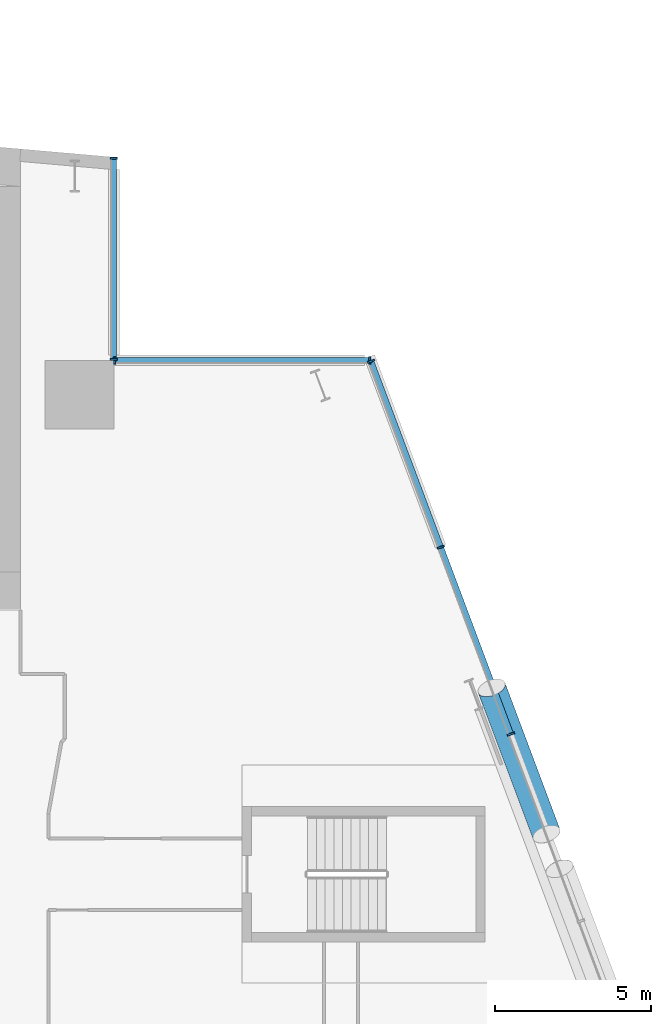
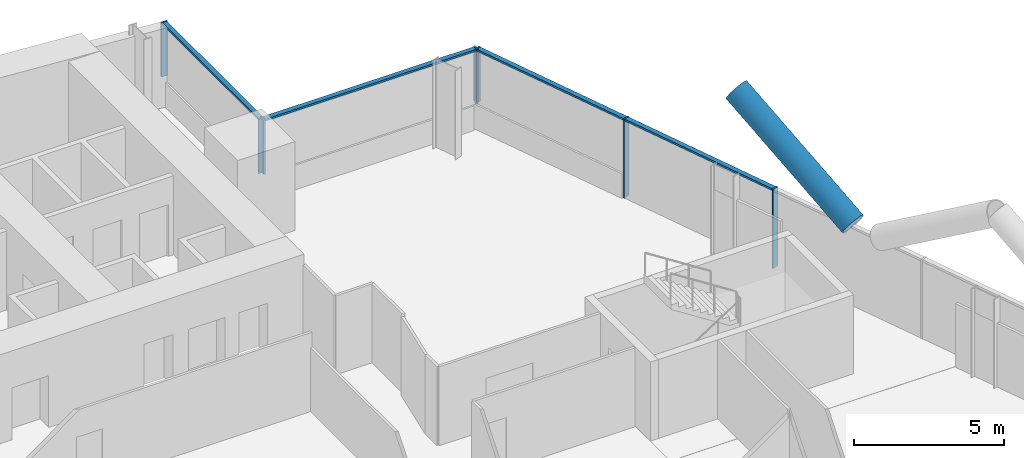
# One storey, part 10 of 25: 12 members, 3 elements without a shape of their own.
"""IFC4 building model written with IfcOpenShell, lengths in metres."""

from ifc_helpers import new_model, si_unit, direction, frame, origin, origin_2d, place, context, subcontext, project, spatial, rectangle, hollow_circle, extrude, material, material_profile, profile_set, type_object, element, aggregate, save


model = new_model("IFC4")

# Units and contexts
model_context = context("Model", 3, precision=1e-05, world=origin(), true_north=direction((0.0, 1.0)))
body_context = subcontext(model_context, "Body", "Model", "MODEL_VIEW")
ifc_project = project(units=[si_unit("LENGTHUNIT", "METRE"), si_unit("AREAUNIT", "SQUARE_METRE"), si_unit("VOLUMEUNIT", "CUBIC_METRE"), si_unit("PLANEANGLEUNIT", "RADIAN"), si_unit("MASSUNIT", "GRAM", prefix="KILO")], contexts=[model_context])

# Site, building, storey
site_placement = place(None, origin())
site = spatial("IfcSite", under=ifc_project, at=site_placement, CompositionType="ELEMENT")
building_placement = place(site_placement, origin())
building = spatial("IfcBuilding", under=site, at=building_placement, Name="Wharfspan Tower", CompositionType="ELEMENT")
storey_placement = place(building_placement, frame((0.0, 0.0, 63.100098)))
storey = spatial("IfcBuildingStorey", under=building, at=storey_placement, Name="L12", CompositionType="ELEMENT", Elevation=63.100098)

# Curtain wall, members
ifc_material_1 = material(Name="Aluminium 6063-T6", Category="aluminium")
curtain_wall_type = type_object("IfcCurtainWallType", Name="CURTAIN WALL PROW AND END", PredefinedType="NOTDEFINED", material=ifc_material_1)
curtain_wall_1_placement = place(storey_placement, origin())
curtain_wall_1 = element("IfcCurtainWall", 1, at=curtain_wall_1_placement, inside=storey, type_object=curtain_wall_type, Name="Curtain wall E", PredefinedType="NOTDEFINED")
ifc_material_profile_1 = material_profile(ifc_material_1, rectangle(XDim=0.23999, YDim=0.060059, at=origin_2d()))
ifc_profile_set_1 = profile_set([ifc_material_profile_1], Name="Aluminium 6063-T6")
member_type_1 = type_object("IfcMemberType", Name="MULLION PROW AND END 60x240", PredefinedType="MULLION", material=ifc_profile_set_1)
member_1_placement = place(storey_placement, frame((80.75, 30.0, 0.0), z_axis=(0.0, 0.0, 1.0), x_axis=(-0.936328, -0.351123, 0.0)))
member_1 = element("IfcMember", 2, at=member_1_placement, type_object=member_type_1, Name="Curtain wall E mullion 6", PredefinedType="MULLION", context=body_context, shape_type="SweptSolid", body=[
    extrude(rectangle(XDim=0.23999, YDim=0.060059, at=origin_2d()), origin(), (0.0, 0.0, 1.0), 3.199951),
])
member_2_placement = place(storey_placement, frame((78.5, 36.0, 0.0), z_axis=(0.0, 0.0, 1.0), x_axis=(-0.936328, -0.351123, 0.0)))
member_2 = element("IfcMember", 3, at=member_2_placement, type_object=member_type_1, Name="Curtain wall E mullion 7", PredefinedType="MULLION", context=body_context, shape_type="SweptSolid", body=[
    extrude(rectangle(XDim=0.23999, YDim=0.060059, at=origin_2d()), origin(), (0.0, 0.0, 1.0), 3.199951),
])
member_3_placement = place(storey_placement, frame((76.260498, 41.971924, 1.0), z_axis=(0.0, 0.0, 1.0), x_axis=(-0.936328, -0.351123, 0.0)))
member_3 = element("IfcMember", 4, at=member_3_placement, type_object=member_type_1, Name="Curtain wall E mullion 8", PredefinedType="MULLION", context=body_context, shape_type="SweptSolid", body=[
    extrude(rectangle(XDim=0.23999, YDim=0.060059, at=origin_2d()), origin(), (0.0, 0.0, 1.0), 2.199951),
])

curtain_wall_2_placement = place(storey_placement, origin())
curtain_wall_2 = element("IfcCurtainWall", 5, at=curtain_wall_2_placement, inside=storey, type_object=curtain_wall_type, Name="Curtain wall NRE-H", PredefinedType="NOTDEFINED")
member_4_placement = place(storey_placement, frame((76.219971, 42.0, 1.0), z_axis=(0.0, 0.0, 1.0), x_axis=(0.0, -1.0, 0.0)))
member_4 = element("IfcMember", 6, at=member_4_placement, type_object=member_type_1, Name="Curtain wall NRE-H mullion 1", PredefinedType="MULLION", context=body_context, shape_type="SweptSolid", body=[
    extrude(rectangle(XDim=0.23999, YDim=0.060059, at=origin_2d()), origin(), (0.0, 0.0, 1.0), 2.199951),
])
member_5_placement = place(storey_placement, frame((68.030029, 42.0, 1.0), z_axis=(0.0, 0.0, 1.0), x_axis=(0.0, -1.0, 0.0)))
member_5 = element("IfcMember", 7, at=member_5_placement, type_object=member_type_1, Name="Curtain wall NRE-H mullion 2", PredefinedType="MULLION", context=body_context, shape_type="SweptSolid", body=[
    extrude(rectangle(XDim=0.23999, YDim=0.060059, at=origin_2d()), origin(), (0.0, 0.0, 1.0), 2.199951),
])

curtain_wall_3_placement = place(storey_placement, origin())
curtain_wall_3 = element("IfcCurtainWall", 8, at=curtain_wall_3_placement, inside=storey, type_object=curtain_wall_type, Name="Curtain wall NRE-V", PredefinedType="NOTDEFINED")
member_6_placement = place(storey_placement, frame((68.0, 42.030029, 1.0), z_axis=(0.0, 0.0, 1.0), x_axis=(-1.0, 0.0, 0.0)))
member_6 = element("IfcMember", 9, at=member_6_placement, type_object=member_type_1, Name="Curtain wall NRE-V mullion 1", PredefinedType="MULLION", context=body_context, shape_type="SweptSolid", body=[
    extrude(rectangle(XDim=0.23999, YDim=0.060059, at=origin_2d()), origin(), (0.0, 0.0, 1.0), 2.199951),
])
member_7_placement = place(storey_placement, frame((68.0, 48.494873, 1.0), z_axis=(0.0, 0.0, 1.0), x_axis=(-1.0, 0.0, 0.0)))
member_7 = element("IfcMember", 10, at=member_7_placement, type_object=member_type_1, Name="Curtain wall NRE-V mullion 2", PredefinedType="MULLION", context=body_context, shape_type="SweptSolid", body=[
    extrude(rectangle(XDim=0.23999, YDim=0.060059, at=origin_2d()), origin(), (0.0, 0.0, 1.0), 2.199951),
])

# Member
ifc_material_2 = material(Name="Steel S460NH", Category="steel")
ifc_material_profile_2 = material_profile(ifc_material_2, hollow_circle(Radius=0.457031, WallThickness=0.040039, at=origin_2d()))
ifc_profile_set_2 = profile_set([ifc_material_profile_2], Name="Steel S460NH")
member_type_2 = type_object("IfcMemberType", Name="Mega brace CHS 914x40", PredefinedType="BRACE", material=ifc_profile_set_2)
member_8_placement = place(storey_placement, frame((81.895508, 26.788574, 3.282471), z_axis=(-0.295459, 0.787904, 0.540288), x_axis=(-0.936328, -0.351115, -3e-06)))
element("IfcMember", 11, at=member_8_placement, inside=storey, type_object=member_type_2, Name="Mega brace E6 L12 part 2", PredefinedType="BRACE", context=body_context, shape_type="SweptSolid", body=[
    extrude(hollow_circle(Radius=0.457031, WallThickness=0.040039, at=origin_2d()), origin(), (0.0, 0.0, 1.0), 5.955322),
])

ifc_material_profile_3 = material_profile(ifc_material_1, rectangle(XDim=0.179932, YDim=0.080078, at=origin_2d()))
ifc_profile_set_3 = profile_set([ifc_material_profile_3], Name="Aluminium 6063-T6")
member_type_3 = type_object("IfcMemberType", Name="TRANSOM PROW AND END 80x180", PredefinedType="USERDEFINED", material=ifc_profile_set_3)
member_9_placement = place(storey_placement, frame((80.739502, 30.028076, 3.159912), z_axis=(-0.351132, 0.936326, 0.0), x_axis=(-0.936326, -0.351132, 0.0)))
member_9 = element("IfcMember", 12, at=member_9_placement, type_object=member_type_3, Name="Curtain wall E transom 6", ObjectType="TRANSOM", PredefinedType="USERDEFINED", context=body_context, shape_type="SweptSolid", body=[
    extrude(rectangle(XDim=0.179932, YDim=0.080078, at=origin_2d()), origin(), (0.0, 0.0, 1.0), 6.348145),
])

member_10_placement = place(storey_placement, frame((78.489502, 36.028076, 3.159912), z_axis=(-0.351136, 0.936324, 0.0), x_axis=(-0.936324, -0.351136, 0.0)))
member_10 = element("IfcMember", 13, at=member_10_placement, type_object=member_type_3, Name="Curtain wall E transom 7", ObjectType="TRANSOM", PredefinedType="USERDEFINED", context=body_context, shape_type="SweptSolid", body=[
    extrude(rectangle(XDim=0.179932, YDim=0.080078, at=origin_2d()), origin(), (0.0, 0.0, 1.0), 6.318115),
])

aggregate(curtain_wall_1, [member_1, member_2, member_3, member_9, member_10])

member_11_placement = place(storey_placement, frame((76.189941, 42.0, 3.159912), z_axis=(-1.0, 0.0, 0.0), x_axis=(0.0, -1.0, 0.0)))
member_11 = element("IfcMember", 14, at=member_11_placement, type_object=member_type_3, Name="Curtain wall NRE-H transom 1", ObjectType="TRANSOM", PredefinedType="USERDEFINED", context=body_context, shape_type="SweptSolid", body=[
    extrude(rectangle(XDim=0.179932, YDim=0.080078, at=origin_2d()), origin(), (0.0, 0.0, 1.0), 8.129883),
])

aggregate(curtain_wall_2, [member_4, member_5, member_11])

member_12_placement = place(storey_placement, frame((68.0, 42.060059, 3.159912), z_axis=(0.0, 1.0, 0.0), x_axis=(-1.0, 0.0, 0.0)))
member_12 = element("IfcMember", 15, at=member_12_placement, type_object=member_type_3, Name="Curtain wall NRE-V transom 1", ObjectType="TRANSOM", PredefinedType="USERDEFINED", context=body_context, shape_type="SweptSolid", body=[
    extrude(rectangle(XDim=0.179932, YDim=0.080078, at=origin_2d()), origin(), (0.0, 0.0, 1.0), 6.404785),
])

aggregate(curtain_wall_3, [member_6, member_7, member_12])

save(model, "model.ifc")
